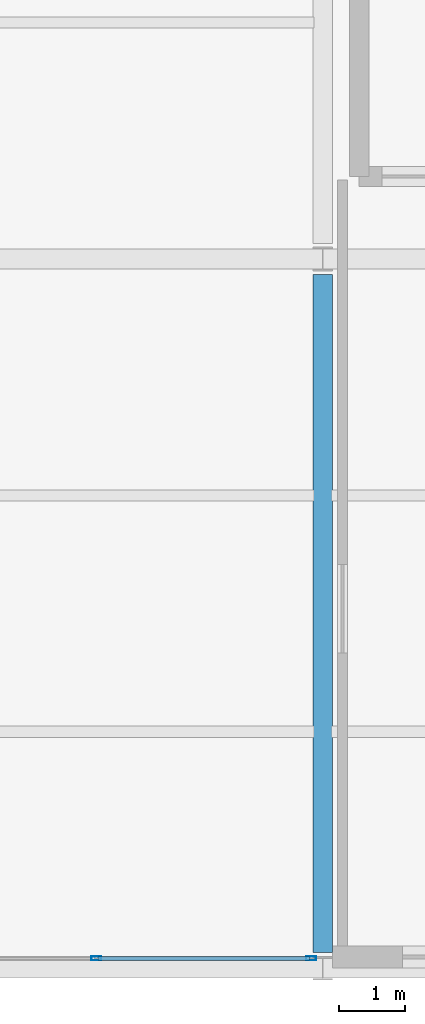
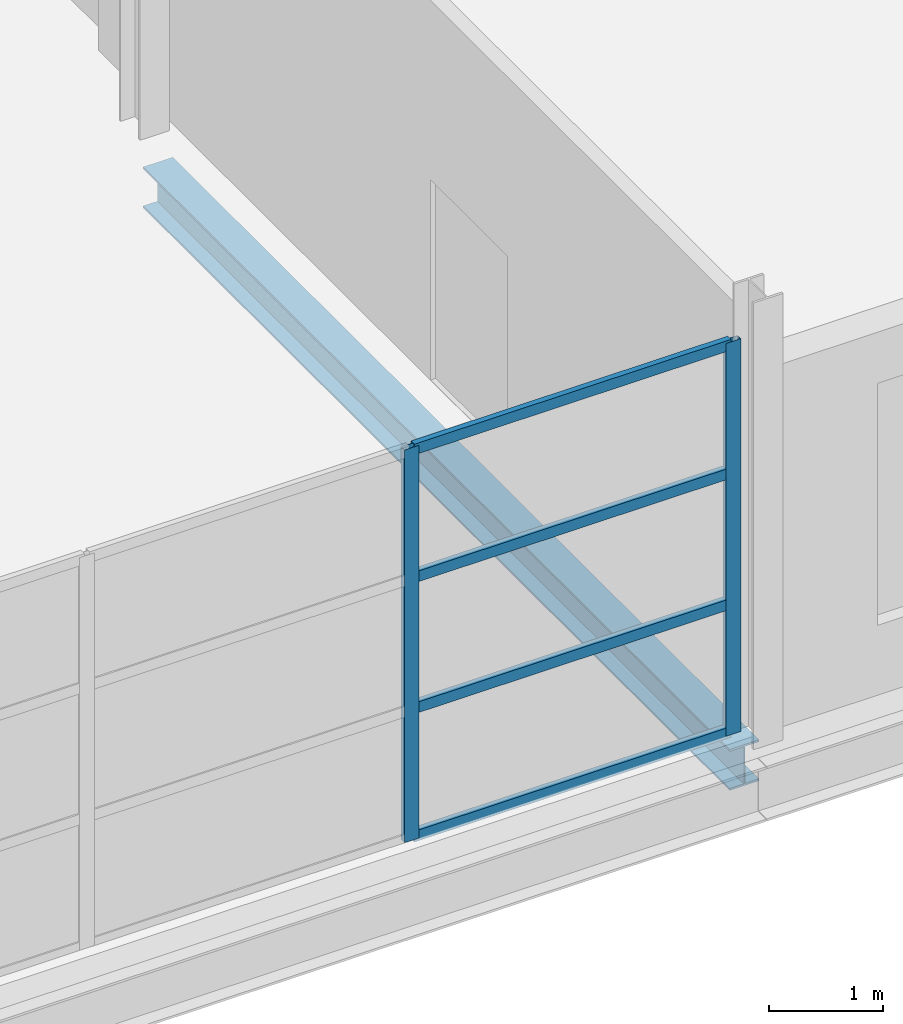
# One storey, part 89 of 134: 6 members, 1 beam, 1 element without a shape of its own.
"""IFC4 building model written with IfcOpenShell, lengths in metres."""

from ifc_helpers import new_model, si_unit, direction, frame, origin, origin_2d, place, context, subcontext, project, spatial, hollow_rectangle, i_section, extrude, material, layer, layer_set, material_profile, profile_set, type_object, element, aggregate, save


model = new_model("IFC4")

# Units and contexts
model_context = context("Model", 3, precision=1e-05, world=origin(), true_north=direction((0.0, 1.0)))
body_context = subcontext(model_context, "Body", "Model", "MODEL_VIEW")
ifc_project = project(units=[si_unit("LENGTHUNIT", "METRE"), si_unit("AREAUNIT", "SQUARE_METRE"), si_unit("VOLUMEUNIT", "CUBIC_METRE"), si_unit("PLANEANGLEUNIT", "RADIAN"), si_unit("MASSUNIT", "GRAM", prefix="KILO")], contexts=[model_context])

# Site, building, storey
site_placement = place(None, origin())
site = spatial("IfcSite", under=ifc_project, at=site_placement, CompositionType="ELEMENT")
building_placement = place(site_placement, origin())
building = spatial("IfcBuilding", under=site, at=building_placement, Name="Tamarisk Ironworks Central Station", CompositionType="ELEMENT")
storey_placement = place(building_placement, frame((0.0, 0.0, 12.60009765625)))
storey = spatial("IfcBuildingStorey", under=building, at=storey_placement, Name="L02", CompositionType="ELEMENT", Elevation=12.60009765625)

# Beam
ifc_material_1 = material(Name="Structural steel S355J2", Category="steel")
ifc_material_profile_1 = material_profile(ifc_material_1, i_section(OverallWidth=0.300048828125, OverallDepth=0.43994140625, WebThickness=0.011474609375, FlangeThickness=0.02099609375, at=origin_2d()), Name="HEA 450")
ifc_profile_set_1 = profile_set([ifc_material_profile_1], Name="Structural steel S355J2")
beam_type = type_object("IfcBeamType", Name="BM-G06", PredefinedType="BEAM", material=ifc_profile_set_1)
beam_placement = place(storey_placement, frame((166.5, 0.238037109375, -0.47021484375), z_axis=(0.0, 1.0, 0.0), x_axis=(-1.0, 0.0, 0.0)))
element("IfcBeam", 1, at=beam_placement, inside=storey, type_object=beam_type, Name="L02 primary girder Y-0521", PredefinedType="BEAM", context=body_context, shape_type="SweptSolid", body=[
    extrude(i_section(OverallWidth=0.300048828125, OverallDepth=0.43994140625, WebThickness=0.011474609375, FlangeThickness=0.02099609375, at=origin_2d()), origin(), (0.0, 0.0, 1.0), 10.323974609375),
])

# Curtain wall, members
ifc_material_2 = material(Name="Anodized aluminium alloy 6063-T6", Category="aluminium")
ifc_layer = layer(ifc_material_2, 0.179931640625)
ifc_layer_set = layer_set([ifc_layer], Name="Anodized aluminium alloy 6063-T6")
curtain_wall_type = type_object("IfcCurtainWallType", Name="CW-17", PredefinedType="USERDEFINED", material=ifc_layer_set)
curtain_wall_placement = place(storey_placement, origin())
curtain_wall = element("IfcCurtainWall", 2, at=curtain_wall_placement, inside=storey, type_object=curtain_wall_type, Name="South-east annex L02 curtain wall 153", ObjectType="GLAZED CURTAIN WALL", PredefinedType="USERDEFINED")
ifc_material_profile_2 = material_profile(ifc_material_2, hollow_rectangle(XDim=0.06005859375, YDim=0.14990234375, WallThickness=0.00341796875, at=origin_2d()), Name="ALUM 150x60")
ifc_profile_set_2 = profile_set([ifc_material_profile_2], Name="Anodized aluminium alloy 6063-T6")
member_type_1 = type_object("IfcMemberType", Name="CWM-03", PredefinedType="MULLION", material=ifc_profile_set_2)
member_1_placement = place(storey_placement, frame((163.051025390625, 0.14990234375, 0.0), z_axis=(0.0, 0.0, 1.0), x_axis=(0.0, 1.0, 0.0)))
member_1 = element("IfcMember", 3, at=member_1_placement, type_object=member_type_1, Name="CW17 mullion 4", PredefinedType="MULLION", context=body_context, shape_type="SweptSolid", body=[
    extrude(hollow_rectangle(XDim=0.06005859375, YDim=0.14990234375, WallThickness=0.00341796875, at=origin_2d()), origin(), (0.0, 0.0, 1.0), 4.219970703125),
])
member_2_placement = place(storey_placement, frame((166.322021484375, 0.14990234375, 0.0), z_axis=(0.0, 0.0, 1.0), x_axis=(0.0, 1.0, 0.0)))
member_2 = element("IfcMember", 4, at=member_2_placement, type_object=member_type_1, Name="CW17 mullion 5", PredefinedType="MULLION", context=body_context, shape_type="SweptSolid", body=[
    extrude(hollow_rectangle(XDim=0.06005859375, YDim=0.14990234375, WallThickness=0.00341796875, at=origin_2d()), origin(), (0.0, 0.0, 1.0), 4.219970703125),
])
ifc_material_profile_3 = material_profile(ifc_material_2, hollow_rectangle(XDim=0.06005859375, YDim=0.114990234375, WallThickness=0.00341796875, at=origin_2d()), Name="ALUM 115x60")
ifc_profile_set_3 = profile_set([ifc_material_profile_3], Name="Anodized aluminium alloy 6063-T6")
member_type_2 = type_object("IfcMemberType", Name="CWT-03", PredefinedType="USERDEFINED", material=ifc_profile_set_3)
member_3_placement = place(storey_placement, frame((163.076904296875, 0.14990234375, 0.02978515625), z_axis=(1.0, 0.0, 0.0), x_axis=(0.0, 1.0, 0.0)))
member_3 = element("IfcMember", 5, at=member_3_placement, type_object=member_type_2, Name="CW17 transom 4.1", ObjectType="TRANSOM", PredefinedType="USERDEFINED", context=body_context, shape_type="SweptSolid", body=[
    extrude(hollow_rectangle(XDim=0.06005859375, YDim=0.114990234375, WallThickness=0.00341796875, at=origin_2d()), origin(), (0.0, 0.0, 1.0), 3.218994140625),
])
member_4_placement = place(storey_placement, frame((163.076904296875, 0.14990234375, 1.406494140625), z_axis=(1.0, 0.0, 0.0), x_axis=(0.0, 1.0, 0.0)))
member_4 = element("IfcMember", 6, at=member_4_placement, type_object=member_type_2, Name="CW17 transom 4.2", ObjectType="TRANSOM", PredefinedType="USERDEFINED", context=body_context, shape_type="SweptSolid", body=[
    extrude(hollow_rectangle(XDim=0.06005859375, YDim=0.114990234375, WallThickness=0.00341796875, at=origin_2d()), origin(), (0.0, 0.0, 1.0), 3.218994140625),
])
member_5_placement = place(storey_placement, frame((163.076904296875, 0.14990234375, 2.813232421875), z_axis=(1.0, 0.0, 0.0), x_axis=(0.0, 1.0, 0.0)))
member_5 = element("IfcMember", 7, at=member_5_placement, type_object=member_type_2, Name="CW17 transom 4.3", ObjectType="TRANSOM", PredefinedType="USERDEFINED", context=body_context, shape_type="SweptSolid", body=[
    extrude(hollow_rectangle(XDim=0.06005859375, YDim=0.114990234375, WallThickness=0.00341796875, at=origin_2d()), origin(), (0.0, 0.0, 1.0), 3.218994140625),
])
member_6_placement = place(storey_placement, frame((163.076904296875, 0.14990234375, 4.18994140625), z_axis=(1.0, 0.0, 0.0), x_axis=(0.0, 1.0, 0.0)))
member_6 = element("IfcMember", 8, at=member_6_placement, type_object=member_type_2, Name="CW17 transom 4.4", ObjectType="TRANSOM", PredefinedType="USERDEFINED", context=body_context, shape_type="SweptSolid", body=[
    extrude(hollow_rectangle(XDim=0.06005859375, YDim=0.114990234375, WallThickness=0.00341796875, at=origin_2d()), origin(), (0.0, 0.0, 1.0), 3.218994140625),
])
aggregate(curtain_wall, [member_1, member_2, member_3, member_4, member_5, member_6])

save(model, "model.ifc")
